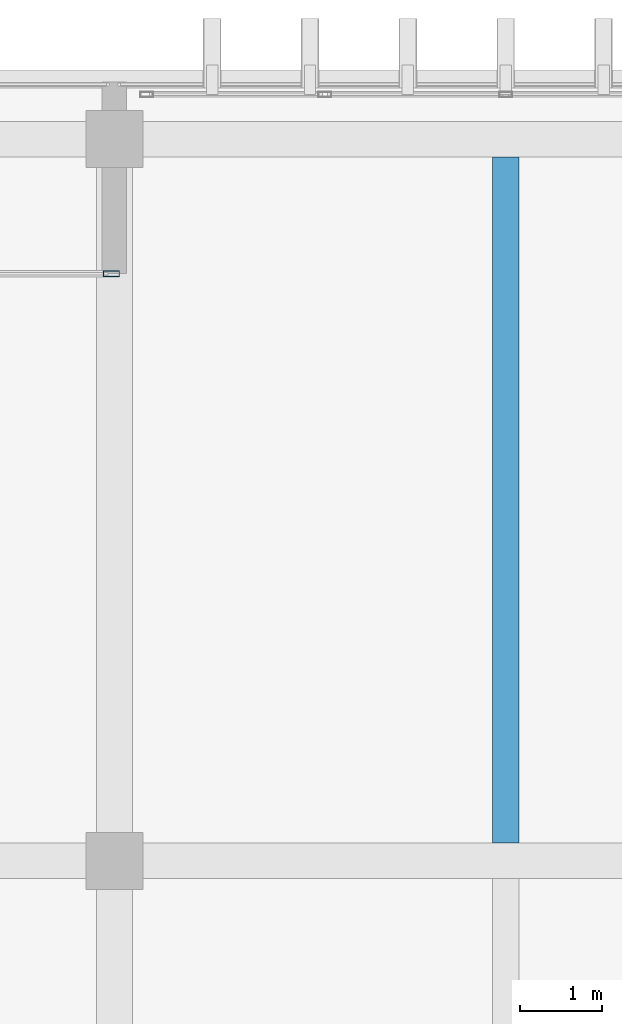
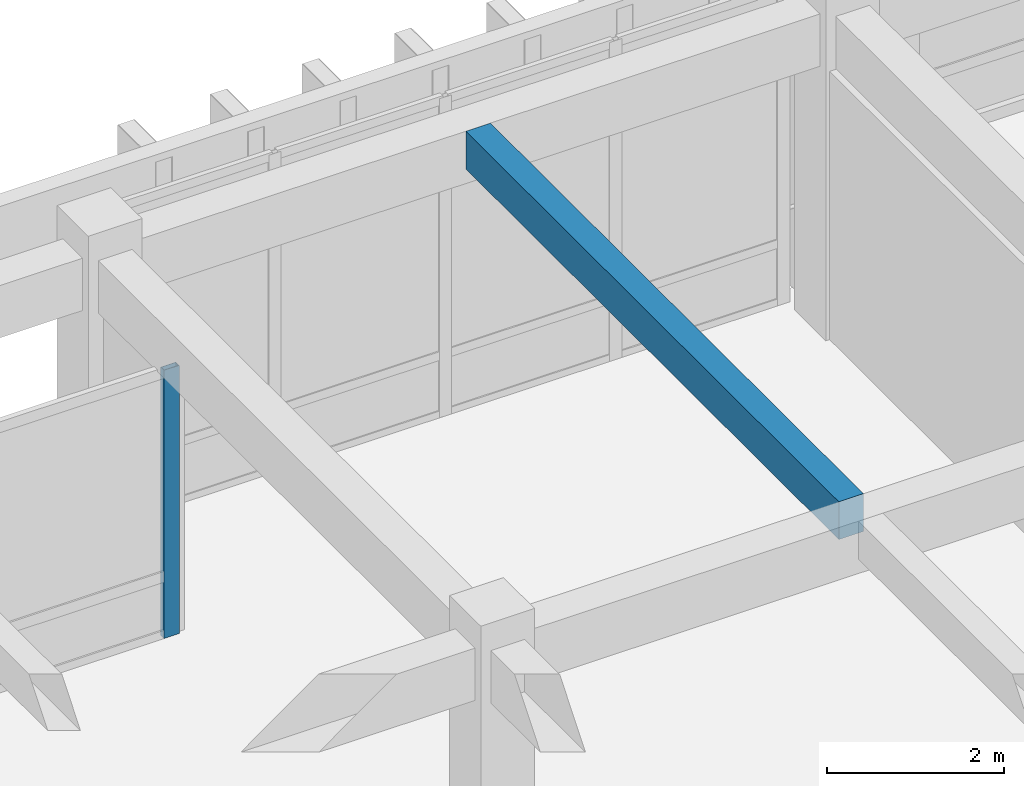
# One storey, part 44 of 133: 1 beam, 1 member, 1 element without a shape of its own.
"""IFC4 building model written with IfcOpenShell, lengths in metres."""

import ifcopenshell
import ifcopenshell.guid

model = None  # the IFC model being written
_history = None  # IfcOwnerHistory: only IFC2X3 demands one
_inside = {}  # id of a spatial element -> (the spatial element, [elements in it])
_under = {}  # id of a project, library or spatial element -> (it, [spatial elements below it])
_declared = {}  # id of a project -> (the project, [libraries it declares])
_typed = {}  # id of a type object -> (the type object, [elements of that type])
_made_of = {}  # id of a material, layer set ... -> (it, [elements and type objects made of it])


def new_model(schema):
    """Start an empty IFC model of exactly this schema.

    Asked for "IFC4X3", IfcOpenShell would pick the latest addendum, in which some entities
    have other attributes; the version numbers below select the first issue.
    IFC2X3 requires an IfcOwnerHistory on every rooted entity: one is made here for all.
    """
    global model, _history
    if schema == "IFC4X3":
        model = ifcopenshell.file(schema_version=(4, 3, 0, 0))
    else:
        model = ifcopenshell.file(schema=schema)
    _inside.clear()
    _under.clear()
    _declared.clear()
    _typed.clear()
    _made_of.clear()
    _history = None
    if model.schema == "IFC2X3":
        org = make("IfcOrganization", Name="unknown")
        user = make(
            "IfcPersonAndOrganization",
            ThePerson=make("IfcPerson", FamilyName="unknown"),
            TheOrganization=org,
        )
        app = make(
            "IfcApplication",
            ApplicationDeveloper=org,
            Version="unknown",
            ApplicationFullName="unknown",
            ApplicationIdentifier="unknown",
        )
        _history = make(
            "IfcOwnerHistory",
            OwningUser=user,
            OwningApplication=app,
            ChangeAction="ADDED",
            CreationDate=0,
        )
    return model


def make(cls, **values):
    """One entity of the class cls with the attributes given. An attribute that is None is left unset."""
    return model.create_entity(
        cls, **{name: value for name, value in values.items() if value is not None}
    )


def rooted(cls, **values):
    """An entity with a GlobalId (a new one), such as an element, a storey or a relation."""
    return make(cls, GlobalId=ifcopenshell.guid.new(), OwnerHistory=_history, **values)


def si_unit(unit_type, name, prefix=None):
    """IfcSIUnit, for example si_unit("LENGTHUNIT", "METRE", prefix="MILLI")."""
    return make("IfcSIUnit", UnitType=unit_type, Prefix=prefix, Name=name)


def assignment(units):
    """IfcUnitAssignment: the units of a project."""
    return None if units is None else make("IfcUnitAssignment", Units=units)


def point(xyz):
    """IfcCartesianPoint."""
    return None if xyz is None else make("IfcCartesianPoint", Coordinates=xyz)


def direction(xyz):
    """IfcDirection."""
    return None if xyz is None else make("IfcDirection", DirectionRatios=xyz)


def frame(location, z_axis=None, x_axis=None):
    """IfcAxis2Placement3D, a coordinate frame: its origin and axes. An axis left out is left unset."""
    return make(
        "IfcAxis2Placement3D",
        Location=point(location),
        Axis=direction(z_axis),
        RefDirection=direction(x_axis),
    )


def frame_2d(location, x_axis=None):
    """IfcAxis2Placement2D, a coordinate frame in the plane: its origin and x axis."""
    return make(
        "IfcAxis2Placement2D", Location=point(location), RefDirection=direction(x_axis)
    )


def origin():
    """The frame at (0, 0, 0) with its axes left unset."""
    return frame((0.0, 0.0, 0.0))


def origin_2d():
    """The frame at (0, 0) in the plane with its x axis left unset."""
    return frame_2d((0.0, 0.0))


def place(relative_to, where):
    """IfcLocalPlacement: puts the frame where relative to a parent placement (None: the world)."""
    return make(
        "IfcLocalPlacement", PlacementRelTo=relative_to, RelativePlacement=where
    )


def context(
    kind, dimensions, precision=None, world=None, true_north=None, identifier=None
):
    """IfcGeometricRepresentationContext, for example the 3D "Model" context."""
    return make(
        "IfcGeometricRepresentationContext",
        ContextIdentifier=identifier,
        ContextType=kind,
        CoordinateSpaceDimension=dimensions,
        Precision=precision,
        WorldCoordinateSystem=world,
        TrueNorth=true_north,
    )


def subcontext(parent, identifier, kind, view, scale=None):
    """IfcGeometricRepresentationSubContext, for example "Body" below "Model"."""
    return make(
        "IfcGeometricRepresentationSubContext",
        ContextIdentifier=identifier,
        ContextType=kind,
        ParentContext=parent,
        TargetScale=scale,
        TargetView=view,
    )


def project(units=None, contexts=None):
    """IfcProject with its units and contexts."""
    return rooted(
        "IfcProject",
        Name="project",
        RepresentationContexts=contexts,
        UnitsInContext=assignment(units),
    )


def spatial(cls, under=None, at=None, **own):
    """A site, building, storey or space (cls), placed at a placement, below another one or the project."""
    s = rooted(cls, ObjectPlacement=at, **own)
    if under is not None:
        _under.setdefault(under.id(), (under, []))[1].append(s)
    return s


def profile(cls, at=None, kind="AREA", **sizes):
    """A parametric profile (cls). Its sizes go by their IFC names, for example OverallWidth=200.0."""
    return make(cls, ProfileType=kind, Position=at, **sizes)


def rectangle(**sizes):
    """IfcRectangleProfileDef."""
    return profile("IfcRectangleProfileDef", **sizes)


def hollow_rectangle(**sizes):
    """IfcRectangleHollowProfileDef."""
    return profile("IfcRectangleHollowProfileDef", **sizes)


def extrude(swept, where, along, depth):
    """IfcExtrudedAreaSolid: the profile swept, set in the frame where, extruded along a direction by depth."""
    return make(
        "IfcExtrudedAreaSolid",
        SweptArea=swept,
        Position=where,
        ExtrudedDirection=direction(along),
        Depth=depth,
    )


def shape(context_of_items, identifier, shape_type, items):
    """IfcShapeRepresentation: the items that make up one representation, for example the "Body"."""
    return make(
        "IfcShapeRepresentation",
        ContextOfItems=context_of_items,
        RepresentationIdentifier=identifier,
        RepresentationType=shape_type,
        Items=items,
    )


def material(Name=None, Category=None):
    """IfcMaterial."""
    return make("IfcMaterial", Name=Name, Category=Category)


def layer(
    of_material, thickness, ventilated=None, Name=None, Category=None, Priority=None
):
    """IfcMaterialLayer: one layer of a wall or slab, of a material (None: an air gap)."""
    return make(
        "IfcMaterialLayer",
        Material=of_material,
        LayerThickness=thickness,
        IsVentilated=ventilated,
        Name=Name,
        Category=Category,
        Priority=Priority,
    )


def layer_set(layers, Name=None):
    """IfcMaterialLayerSet."""
    return make("IfcMaterialLayerSet", MaterialLayers=layers, LayerSetName=Name)


def material_profile(
    of_material, cross_section, Name=None, Category=None, Priority=None
):
    """IfcMaterialProfile: a cross section and its material."""
    return make(
        "IfcMaterialProfile",
        Name=Name,
        Material=of_material,
        Profile=cross_section,
        Priority=Priority,
        Category=Category,
    )


def profile_set(profiles, Name=None, composite=None):
    """IfcMaterialProfileSet."""
    return make(
        "IfcMaterialProfileSet",
        Name=Name,
        MaterialProfiles=profiles,
        CompositeProfile=composite,
    )


def made_of(thing, what):
    """Note that an element or type object is made of a material, layer set ...; save() writes the relation."""
    if what is not None:
        _made_of.setdefault(what.id(), (what, []))[1].append(thing)
    return thing


def type_object(cls, material=None, **own):
    """A type object (cls), such as IfcWallType, which elements share."""
    return made_of(rooted(cls, **own), material)


def element(
    cls,
    number,
    at=None,
    inside=None,
    cuts=None,
    type_object=None,
    material=None,
    context=None,
    identifier="Body",
    shape_type=None,
    held_by="IfcProductDefinitionShape",
    body=None,
    shapes=None,
    **own,
):
    """One element of the class cls, such as IfcWall. Its Tag is "e" and its number.

    at: its placement. inside: the storey or other place that contains it. cuts: it is an
    opening in that element (IfcRelVoidsElement). A single representation is given by context,
    identifier, shape_type and body (its items); several are given by shapes. held_by: the class
    of the entity that holds the representations. save() writes the other relations.
    """
    e = rooted(cls, Tag="e%d" % number, ObjectPlacement=at, **own)
    if body is not None:
        shapes = [shape(context, identifier, shape_type, body)]
    if shapes is not None:
        e.Representation = make(held_by, Representations=shapes)
    if inside is not None:
        _inside.setdefault(inside.id(), (inside, []))[1].append(e)
    if cuts is not None:
        rooted(
            "IfcRelVoidsElement", RelatingBuildingElement=cuts, RelatedOpeningElement=e
        )
    if type_object is not None:
        _typed.setdefault(type_object.id(), (type_object, []))[1].append(e)
    return made_of(e, material)


def aggregate(whole, parts):
    """IfcRelAggregates: a whole, such as a stair, and the parts it consists of."""
    return rooted("IfcRelAggregates", RelatingObject=whole, RelatedObjects=parts)


def save(model, path):
    """Write the relations noted so far, then the file.

    IfcRelAggregates (storeys below a building ...), IfcRelContainedInSpatialStructure (elements
    in a storey), IfcRelDefinesByType, IfcRelAssociatesMaterial and IfcRelDeclares: one each for
    every whole, place, type object, material and project.
    """
    for whole, parts in _under.values():
        aggregate(whole, parts)
    for where, things in _inside.values():
        rooted(
            "IfcRelContainedInSpatialStructure",
            RelatedElements=things,
            RelatingStructure=where,
        )
    for kind, things in _typed.values():
        rooted("IfcRelDefinesByType", RelatedObjects=things, RelatingType=kind)
    for what, things in _made_of.values():
        rooted("IfcRelAssociatesMaterial", RelatedObjects=things, RelatingMaterial=what)
    for by, libraries in _declared.values():
        rooted("IfcRelDeclares", RelatingContext=by, RelatedDefinitions=libraries)
    model.write(path)


model = new_model("IFC4")

# Units and contexts
model_context = context("Model", 3, precision=1e-05, world=origin(), true_north=direction((0.0, 1.0)))
body_context = subcontext(model_context, "Body", "Model", "MODEL_VIEW")
ifc_project = project(units=[si_unit("LENGTHUNIT", "METRE"), si_unit("AREAUNIT", "SQUARE_METRE"), si_unit("VOLUMEUNIT", "CUBIC_METRE"), si_unit("PLANEANGLEUNIT", "RADIAN"), si_unit("MASSUNIT", "GRAM", prefix="KILO")], contexts=[model_context])

# Site, building, storey
site_placement = place(None, origin())
site = spatial("IfcSite", under=ifc_project, at=site_placement, CompositionType="ELEMENT")
building_placement = place(site_placement, origin())
building = spatial("IfcBuilding", under=site, at=building_placement, Name="Nakhvara Creek Congress Hotel", CompositionType="ELEMENT")
storey_placement = place(building_placement, frame((0.0, 0.0, 11.39990234375)))
storey = spatial("IfcBuildingStorey", under=building, at=storey_placement, Name="L02", CompositionType="ELEMENT", Elevation=11.39990234375)

# Beam
ifc_material_1 = material(Name="Concrete C40/50", Category="concrete")
ifc_material_profile_1 = material_profile(ifc_material_1, rectangle(XDim=0.320068359375, YDim=0.52001953125, at=origin_2d()), Name="RC-BM 320x520", Category="LoadBearing")
ifc_profile_set_1 = profile_set([ifc_material_profile_1], Name="Concrete C40/50")
beam_type = type_object("IfcBeamType", Name="BM-RC-320X520", PredefinedType="JOIST", material=ifc_profile_set_1)
beam_placement = place(storey_placement, frame((100.800048828125, 86.6201171875, 4.16015625), z_axis=(0.0, 1.0, 0.0), x_axis=(-1.0, 0.0, 0.0)))
element("IfcBeam", 1, at=beam_placement, inside=storey, type_object=beam_type, Name="Secondary Joist BJ2-L02-1679", PredefinedType="JOIST", context=body_context, shape_type="SweptSolid", body=[
    extrude(rectangle(XDim=0.320068359375, YDim=0.52001953125, at=origin_2d()), origin(), (0.0, 0.0, 1.0), 8.409912109375),
])

# Curtain wall, member
ifc_material_2 = material(Name="Bronze-anodised aluminium AW-6063-T6 and double-silver low-E glass", Category="aluminium")
ifc_layer = layer(ifc_material_2, 0.219970703125)
ifc_layer_set = layer_set([ifc_layer], Name="Bronze-anodised aluminium AW-6063-T6 and double-silver low-E glass")
curtain_wall_type = type_object("IfcCurtainWallType", Name="CW-BOX-REC", PredefinedType="USERDEFINED", material=ifc_layer_set)
curtain_wall_placement = place(storey_placement, origin())
curtain_wall = element("IfcCurtainWall", 2, at=curtain_wall_placement, inside=storey, type_object=curtain_wall_type, Name="Curtain Wall CW084", ObjectType="UNITISED", PredefinedType="USERDEFINED")
ifc_material_3 = material(Name="Bronze-anodised aluminium AW-6063-T6", Category="aluminium")
ifc_material_profile_2 = material_profile(ifc_material_3, hollow_rectangle(XDim=0.074951171875, YDim=0.199951171875, WallThickness=0.0048828125, at=origin_2d()), Name="ALU-MULL 75x200x5", Category="LoadBearing")
ifc_profile_set_2 = profile_set([ifc_material_profile_2], Name="Bronze-anodised aluminium AW-6063-T6")
member_type = type_object("IfcMemberType", Name="CW-MULL-200", PredefinedType="MULLION", material=ifc_profile_set_2)
member_placement = place(storey_placement, frame((95.96240234375, 93.60009765625, 0.0), z_axis=(0.0, 0.0, 1.0), x_axis=(0.0, 1.0, 0.0)))
member = element("IfcMember", 3, at=member_placement, type_object=member_type, Name="CW084 mullion 5", PredefinedType="MULLION", context=body_context, shape_type="SweptSolid", body=[
    extrude(hollow_rectangle(XDim=0.074951171875, YDim=0.199951171875, WallThickness=0.0048828125, at=origin_2d()), origin(), (0.0, 0.0, 1.0), 3.692138671875),
])
aggregate(curtain_wall, [member])

save(model, "model.ifc")
